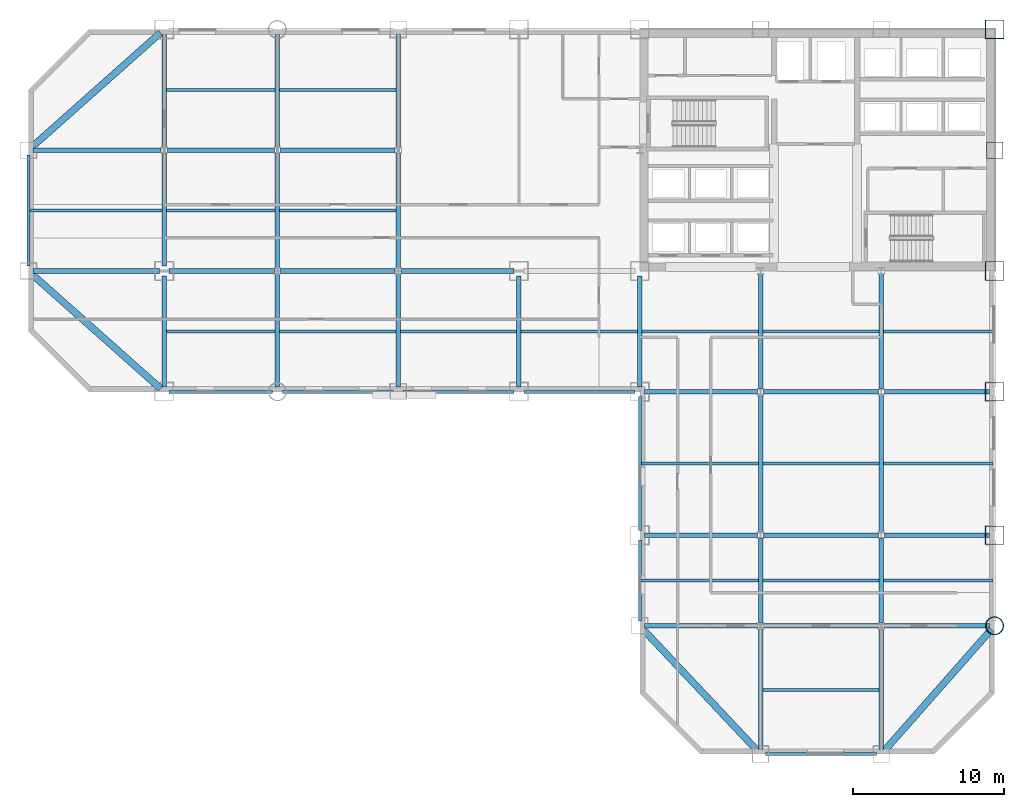
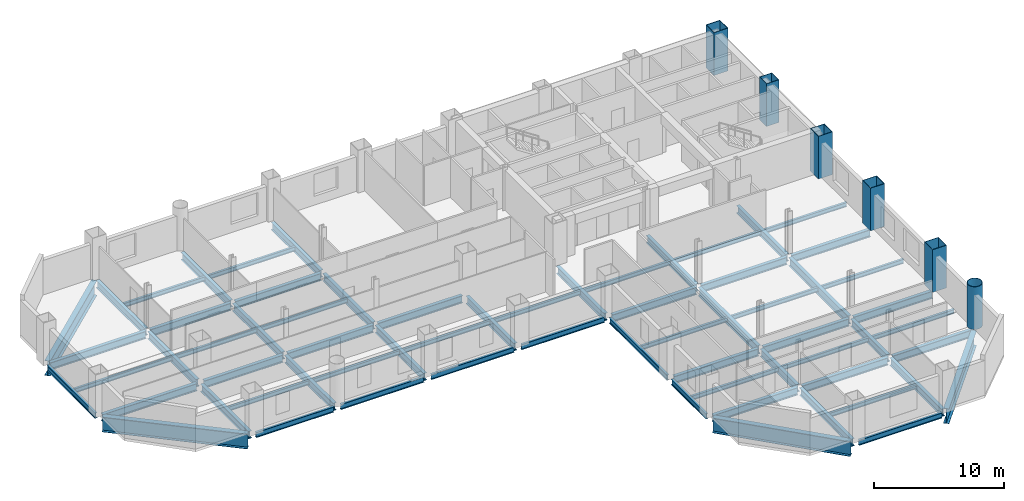
# One storey, part 3 of 9: 66 beams, 6 columns.
"""IFC4 building model written with IfcOpenShell, lengths in metres."""

from ifc_helpers import new_model, si_unit, direction, frame, origin, origin_2d, place, context, subcontext, project, spatial, hollow_rectangle, hollow_circle, i_section, extrude, material, material_profile, profile_set, type_object, element, save


model = new_model("IFC4")

# Units and contexts
model_context = context("Model", 3, precision=1e-05, world=origin(), true_north=direction((0.0, 1.0)))
body_context = subcontext(model_context, "Body", "Model", "MODEL_VIEW")
ifc_project = project(units=[si_unit("LENGTHUNIT", "METRE"), si_unit("AREAUNIT", "SQUARE_METRE"), si_unit("VOLUMEUNIT", "CUBIC_METRE"), si_unit("PLANEANGLEUNIT", "RADIAN"), si_unit("MASSUNIT", "GRAM", prefix="KILO")], contexts=[model_context])

# Site, building, storey
site_placement = place(None, origin())
site = spatial("IfcSite", under=ifc_project, at=site_placement, CompositionType="ELEMENT")
building_placement = place(site_placement, origin())
building = spatial("IfcBuilding", under=site, at=building_placement, Name="Qianrong Seaharbour Tower", CompositionType="ELEMENT")
storey_placement = place(building_placement, frame((0.0, 0.0, 48.199951171875)))
storey = spatial("IfcBuildingStorey", under=building, at=storey_placement, Name="L11", CompositionType="ELEMENT", Elevation=48.199951171875)

# Columns
ifc_material_1 = material(Name="Structural steel SN490B", Category="steel")
ifc_material_profile_1 = material_profile(ifc_material_1, hollow_rectangle(XDim=1.25, YDim=1.25, WallThickness=0.044921875, at=origin_2d()), Name="BOX1250x1250x45")
ifc_profile_set_1 = profile_set([ifc_material_profile_1], Name="Structural steel SN490B")
column_type_1 = type_object("IfcColumnType", Name="COL-CFT-1250", PredefinedType="COLUMN", material=ifc_profile_set_1)
for number, where, z_axis, x_axis, name in (
    (1, (64.0, 18.5, 0.0), (0.0, 0.0, 1.0), (1.0, 0.0, 0.0), "L11 Column MC-2 at G9/GD"),
    (2, (64.0, 28.0, 0.0), (0.0, 0.0, 1.0), (1.0, 0.0, 0.0), "L11 Column MC-2 at G9/GE"),
    (3, (64.0, 36.0, 0.0), (0.0, 0.0, 1.0), (1.0, 0.0, 0.0), "L11 Column MC-2 at G9/GF"),
    (4, (64.0, 52.0, 0.0), (0.0, 0.0, 1.0), (1.0, 0.0, 0.0), "L11 Column MC-2 at G9/GH"),
):
    element("IfcColumn", number, at=place(storey_placement, frame(where, z_axis=z_axis, x_axis=x_axis)), inside=storey, type_object=column_type_1, Name=name, PredefinedType="COLUMN", context=body_context, shape_type="SweptSolid", body=[
        extrude(hollow_rectangle(XDim=1.25, YDim=1.25, WallThickness=0.044921875, at=origin_2d()), origin(), (0.0, 0.0, 1.0), 4.0),
    ])
ifc_material_profile_2 = material_profile(ifc_material_1, hollow_circle(Radius=0.60009765625, WallThickness=0.0400390625, at=origin_2d()), Name="CHS1200x40")
ifc_profile_set_2 = profile_set([ifc_material_profile_2], Name="Structural steel SN490B")
column_type_2 = type_object("IfcColumnType", Name="COL-CHS-1200", PredefinedType="COLUMN", material=ifc_profile_set_2)
column_1_placement = place(storey_placement, frame((64.0, 12.5, 0.0), z_axis=(0.0, 0.0, 1.0), x_axis=(1.0, 0.0, 0.0)))
element("IfcColumn", 5, at=column_1_placement, inside=storey, type_object=column_type_2, Name="L11 Column CC-1 at G9/GC", PredefinedType="COLUMN", context=body_context, shape_type="SweptSolid", body=[
    extrude(hollow_circle(Radius=0.60009765625, WallThickness=0.0400390625, at=origin_2d()), origin(), (0.0, 0.0, 1.0), 4.0),
])
ifc_material_profile_3 = material_profile(ifc_material_1, hollow_rectangle(XDim=1.10009765625, YDim=1.10009765625, WallThickness=0.0400390625, at=origin_2d()), Name="BOX1100x1100x40")
ifc_profile_set_3 = profile_set([ifc_material_profile_3], Name="Structural steel SN490B")
column_type_3 = type_object("IfcColumnType", Name="COL-PER-1100", PredefinedType="COLUMN", material=ifc_profile_set_3)
column_2_placement = place(storey_placement, frame((64.0, 44.0, 0.0), z_axis=(0.0, 0.0, 1.0), x_axis=(1.0, 0.0, 0.0)))
element("IfcColumn", 6, at=column_2_placement, inside=storey, type_object=column_type_3, Name="L11 Column PC-1 at G9/GG", PredefinedType="COLUMN", context=body_context, shape_type="SweptSolid", body=[
    extrude(hollow_rectangle(XDim=1.10009765625, YDim=1.10009765625, WallThickness=0.0400390625, at=origin_2d()), origin(), (0.0, 0.0, 1.0), 4.0),
])

# Beams
ifc_material_profile_4 = material_profile(ifc_material_1, i_section(OverallWidth=0.300048828125, OverallDepth=0.699951171875, WebThickness=0.012939453125, FlangeThickness=0.02392578125, FilletRadius=0.02587890625, at=origin_2d()), Name="H700x300x13x24")
ifc_profile_set_4 = profile_set([ifc_material_profile_4], Name="Structural steel SN490B")
beam_type_1 = type_object("IfcBeamType", Name="BM-G-700", PredefinedType="BEAM", material=ifc_profile_set_4)
beam_1_placement = place(storey_placement, frame((40.820068359375, 12.5, -0.599853515625), z_axis=(1.0, 0.0, 0.0), x_axis=(0.0, 1.0, 0.0)))
element("IfcBeam", 7, at=beam_1_placement, inside=storey, type_object=beam_type_1, Name="L11 Primary Girder GC G6-G7", PredefinedType="BEAM", context=body_context, shape_type="SweptSolid", body=[
    extrude(i_section(OverallWidth=0.300048828125, OverallDepth=0.699951171875, WebThickness=0.012939453125, FlangeThickness=0.02392578125, FilletRadius=0.02587890625, at=origin_2d()), origin(), (0.0, 0.0, 1.0), 7.476318359375),
])
beam_2_placement = place(storey_placement, frame((48.70361328125, 12.5, -0.599853515625), z_axis=(1.0, 0.0, 0.0), x_axis=(0.0, 1.0, 0.0)))
element("IfcBeam", 8, at=beam_2_placement, inside=storey, type_object=beam_type_1, Name="L11 Primary Girder GC G7-G8", PredefinedType="BEAM", context=body_context, shape_type="SweptSolid", body=[
    extrude(i_section(OverallWidth=0.300048828125, OverallDepth=0.699951171875, WebThickness=0.012939453125, FlangeThickness=0.02392578125, FilletRadius=0.02587890625, at=origin_2d()), origin(), (0.0, 0.0, 1.0), 7.5927734375),
])
beam_3_placement = place(storey_placement, frame((56.70361328125, 12.5, -0.599853515625), z_axis=(1.0, 0.0, 0.0), x_axis=(0.0, 1.0, 0.0)))
element("IfcBeam", 9, at=beam_3_placement, inside=storey, type_object=beam_type_1, Name="L11 Primary Girder GC G8-G9", PredefinedType="BEAM", context=body_context, shape_type="SweptSolid", body=[
    extrude(i_section(OverallWidth=0.300048828125, OverallDepth=0.699951171875, WebThickness=0.012939453125, FlangeThickness=0.02392578125, FilletRadius=0.02587890625, at=origin_2d()), origin(), (0.0, 0.0, 1.0), 6.976318359375),
])
beam_4_placement = place(storey_placement, frame((40.820068359375, 18.5, -0.599853515625), z_axis=(1.0, 0.0, 0.0), x_axis=(0.0, 1.0, 0.0)))
element("IfcBeam", 10, at=beam_4_placement, inside=storey, type_object=beam_type_1, Name="L11 Primary Girder GD G6-G7", PredefinedType="BEAM", context=body_context, shape_type="SweptSolid", body=[
    extrude(i_section(OverallWidth=0.300048828125, OverallDepth=0.699951171875, WebThickness=0.012939453125, FlangeThickness=0.02392578125, FilletRadius=0.02587890625, at=origin_2d()), origin(), (0.0, 0.0, 1.0), 7.476318359375),
])
beam_5_placement = place(storey_placement, frame((48.70361328125, 18.5, -0.599853515625), z_axis=(1.0, 0.0, 0.0), x_axis=(0.0, 1.0, 0.0)))
element("IfcBeam", 11, at=beam_5_placement, inside=storey, type_object=beam_type_1, Name="L11 Primary Girder GD G7-G8", PredefinedType="BEAM", context=body_context, shape_type="SweptSolid", body=[
    extrude(i_section(OverallWidth=0.300048828125, OverallDepth=0.699951171875, WebThickness=0.012939453125, FlangeThickness=0.02392578125, FilletRadius=0.02587890625, at=origin_2d()), origin(), (0.0, 0.0, 1.0), 7.5927734375),
])
beam_6_placement = place(storey_placement, frame((56.70361328125, 18.5, -0.599853515625), z_axis=(1.0, 0.0, 0.0), x_axis=(0.0, 1.0, 0.0)))
element("IfcBeam", 12, at=beam_6_placement, inside=storey, type_object=beam_type_1, Name="L11 Primary Girder GD G8-G9", PredefinedType="BEAM", context=body_context, shape_type="SweptSolid", body=[
    extrude(i_section(OverallWidth=0.300048828125, OverallDepth=0.699951171875, WebThickness=0.012939453125, FlangeThickness=0.02392578125, FilletRadius=0.02587890625, at=origin_2d()), origin(), (0.0, 0.0, 1.0), 6.976318359375),
])
beam_7_placement = place(storey_placement, frame((40.820068359375, 28.0, -0.599853515625), z_axis=(1.0, 0.0, 0.0), x_axis=(0.0, 1.0, 0.0)))
element("IfcBeam", 13, at=beam_7_placement, inside=storey, type_object=beam_type_1, Name="L11 Primary Girder GE G6-G7", PredefinedType="BEAM", context=body_context, shape_type="SweptSolid", body=[
    extrude(i_section(OverallWidth=0.300048828125, OverallDepth=0.699951171875, WebThickness=0.012939453125, FlangeThickness=0.02392578125, FilletRadius=0.02587890625, at=origin_2d()), origin(), (0.0, 0.0, 1.0), 7.476318359375),
])
beam_8_placement = place(storey_placement, frame((48.70361328125, 28.0, -0.599853515625), z_axis=(1.0, 0.0, 0.0), x_axis=(0.0, 1.0, 0.0)))
element("IfcBeam", 14, at=beam_8_placement, inside=storey, type_object=beam_type_1, Name="L11 Primary Girder GE G7-G8", PredefinedType="BEAM", context=body_context, shape_type="SweptSolid", body=[
    extrude(i_section(OverallWidth=0.300048828125, OverallDepth=0.699951171875, WebThickness=0.012939453125, FlangeThickness=0.02392578125, FilletRadius=0.02587890625, at=origin_2d()), origin(), (0.0, 0.0, 1.0), 7.5927734375),
])
beam_9_placement = place(storey_placement, frame((56.70361328125, 28.0, -0.599853515625), z_axis=(1.0, 0.0, 0.0), x_axis=(0.0, 1.0, 0.0)))
element("IfcBeam", 15, at=beam_9_placement, inside=storey, type_object=beam_type_1, Name="L11 Primary Girder GE G8-G9", PredefinedType="BEAM", context=body_context, shape_type="SweptSolid", body=[
    extrude(i_section(OverallWidth=0.300048828125, OverallDepth=0.699951171875, WebThickness=0.012939453125, FlangeThickness=0.02392578125, FilletRadius=0.02587890625, at=origin_2d()), origin(), (0.0, 0.0, 1.0), 6.976318359375),
])
beam_10_placement = place(storey_placement, frame((0.320068359375, 36.0, -0.599853515625), z_axis=(1.0, 0.0, 0.0), x_axis=(0.0, 1.0, 0.0)))
element("IfcBeam", 16, at=beam_10_placement, inside=storey, type_object=beam_type_1, Name="L11 Primary Girder GF G1-G2", PredefinedType="BEAM", context=body_context, shape_type="SweptSolid", body=[
    extrude(i_section(OverallWidth=0.300048828125, OverallDepth=0.699951171875, WebThickness=0.012939453125, FlangeThickness=0.02392578125, FilletRadius=0.02587890625, at=origin_2d()), origin(), (0.0, 0.0, 1.0), 8.35986328125),
])
beam_11_placement = place(storey_placement, frame((9.320068359375, 36.0, -0.599853515625), z_axis=(1.0, 0.0, 0.0), x_axis=(0.0, 1.0, 0.0)))
element("IfcBeam", 17, at=beam_11_placement, inside=storey, type_object=beam_type_1, Name="L11 Primary Girder GF G2-G3", PredefinedType="BEAM", context=body_context, shape_type="SweptSolid", body=[
    extrude(i_section(OverallWidth=0.300048828125, OverallDepth=0.699951171875, WebThickness=0.012939453125, FlangeThickness=0.02392578125, FilletRadius=0.02587890625, at=origin_2d()), origin(), (0.0, 0.0, 1.0), 6.976318359375),
])
beam_12_placement = place(storey_placement, frame((16.70361328125, 36.0, -0.599853515625), z_axis=(1.0, 0.0, 0.0), x_axis=(0.0, 1.0, 0.0)))
element("IfcBeam", 18, at=beam_12_placement, inside=storey, type_object=beam_type_1, Name="L11 Primary Girder GF G3-G4", PredefinedType="BEAM", context=body_context, shape_type="SweptSolid", body=[
    extrude(i_section(OverallWidth=0.300048828125, OverallDepth=0.699951171875, WebThickness=0.012939453125, FlangeThickness=0.02392578125, FilletRadius=0.02587890625, at=origin_2d()), origin(), (0.0, 0.0, 1.0), 7.5927734375),
])
beam_13_placement = place(storey_placement, frame((24.70361328125, 36.0, -0.599853515625), z_axis=(1.0, 0.0, 0.0), x_axis=(0.0, 1.0, 0.0)))
element("IfcBeam", 19, at=beam_13_placement, inside=storey, type_object=beam_type_1, Name="L11 Primary Girder GF G4-G5", PredefinedType="BEAM", context=body_context, shape_type="SweptSolid", body=[
    extrude(i_section(OverallWidth=0.300048828125, OverallDepth=0.699951171875, WebThickness=0.012939453125, FlangeThickness=0.02392578125, FilletRadius=0.02587890625, at=origin_2d()), origin(), (0.0, 0.0, 1.0), 7.476318359375),
])
beam_14_placement = place(storey_placement, frame((0.320068359375, 44.0, -0.599853515625), z_axis=(1.0, 0.0, 0.0), x_axis=(0.0, 1.0, 0.0)))
element("IfcBeam", 20, at=beam_14_placement, inside=storey, type_object=beam_type_1, Name="L11 Primary Girder GG G1-G2", PredefinedType="BEAM", context=body_context, shape_type="SweptSolid", body=[
    extrude(i_section(OverallWidth=0.300048828125, OverallDepth=0.699951171875, WebThickness=0.012939453125, FlangeThickness=0.02392578125, FilletRadius=0.02587890625, at=origin_2d()), origin(), (0.0, 0.0, 1.0), 8.476318359375),
])
beam_15_placement = place(storey_placement, frame((9.20361328125, 44.0, -0.599853515625), z_axis=(1.0, 0.0, 0.0), x_axis=(0.0, 1.0, 0.0)))
element("IfcBeam", 21, at=beam_15_placement, inside=storey, type_object=beam_type_1, Name="L11 Primary Girder GG G2-G3", PredefinedType="BEAM", context=body_context, shape_type="SweptSolid", body=[
    extrude(i_section(OverallWidth=0.300048828125, OverallDepth=0.699951171875, WebThickness=0.012939453125, FlangeThickness=0.02392578125, FilletRadius=0.02587890625, at=origin_2d()), origin(), (0.0, 0.0, 1.0), 7.0927734375),
])
beam_16_placement = place(storey_placement, frame((16.70361328125, 44.0, -0.599853515625), z_axis=(1.0, 0.0, 0.0), x_axis=(0.0, 1.0, 0.0)))
element("IfcBeam", 22, at=beam_16_placement, inside=storey, type_object=beam_type_1, Name="L11 Primary Girder GG G3-G4", PredefinedType="BEAM", context=body_context, shape_type="SweptSolid", body=[
    extrude(i_section(OverallWidth=0.300048828125, OverallDepth=0.699951171875, WebThickness=0.012939453125, FlangeThickness=0.02392578125, FilletRadius=0.02587890625, at=origin_2d()), origin(), (0.0, 0.0, 1.0), 7.5927734375),
])
beam_17_placement = place(storey_placement, frame((9.0, 28.320068359375, -0.599853515625), z_axis=(0.0, 1.0, 0.0), x_axis=(-1.0, 0.0, 0.0)))
element("IfcBeam", 23, at=beam_17_placement, inside=storey, type_object=beam_type_1, Name="L11 Primary Girder G2 GE-GF", PredefinedType="BEAM", context=body_context, shape_type="SweptSolid", body=[
    extrude(i_section(OverallWidth=0.300048828125, OverallDepth=0.699951171875, WebThickness=0.012939453125, FlangeThickness=0.02392578125, FilletRadius=0.02587890625, at=origin_2d()), origin(), (0.0, 0.0, 1.0), 7.35986328125),
])
for number, where, z_axis, x_axis, name in (
    (24, (9.0, 36.320068359375, -0.599853515625), (0.0, 1.0, 0.0), (-1.0, 0.0, 0.0), "L11 Primary Girder G2 GF-GG"),
    (25, (9.0, 44.214111328125, -0.599853515625), (0.0, 1.0, 0.0), (-1.0, 0.0, 0.0), "L11 Primary Girder G2 GG-GH"),
    (26, (16.5, 28.320068359375, -0.599853515625), (0.0, 1.0, 0.0), (-1.0, 0.0, 0.0), "L11 Primary Girder G3 GE-GF"),
):
    element("IfcBeam", number, at=place(storey_placement, frame(where, z_axis=z_axis, x_axis=x_axis)), inside=storey, type_object=beam_type_1, Name=name, PredefinedType="BEAM", context=body_context, shape_type="SweptSolid", body=[
        extrude(i_section(OverallWidth=0.300048828125, OverallDepth=0.699951171875, WebThickness=0.012939453125, FlangeThickness=0.02392578125, FilletRadius=0.02587890625, at=origin_2d()), origin(), (0.0, 0.0, 1.0), 7.4658203125),
    ])
beam_18_placement = place(storey_placement, frame((16.5, 36.214111328125, -0.599853515625), z_axis=(0.0, 1.0, 0.0), x_axis=(-1.0, 0.0, 0.0)))
element("IfcBeam", 27, at=beam_18_placement, inside=storey, type_object=beam_type_1, Name="L11 Primary Girder G3 GF-GG", PredefinedType="BEAM", context=body_context, shape_type="SweptSolid", body=[
    extrude(i_section(OverallWidth=0.300048828125, OverallDepth=0.699951171875, WebThickness=0.012939453125, FlangeThickness=0.02392578125, FilletRadius=0.02587890625, at=origin_2d()), origin(), (0.0, 0.0, 1.0), 7.57177734375),
])
for number, where, z_axis, x_axis, name in (
    (28, (16.5, 44.214111328125, -0.599853515625), (0.0, 1.0, 0.0), (-1.0, 0.0, 0.0), "L11 Primary Girder G3 GG-GH"),
    (29, (24.5, 28.320068359375, -0.599853515625), (0.0, 1.0, 0.0), (-1.0, 0.0, 0.0), "L11 Primary Girder G4 GE-GF"),
):
    element("IfcBeam", number, at=place(storey_placement, frame(where, z_axis=z_axis, x_axis=x_axis)), inside=storey, type_object=beam_type_1, Name=name, PredefinedType="BEAM", context=body_context, shape_type="SweptSolid", body=[
        extrude(i_section(OverallWidth=0.300048828125, OverallDepth=0.699951171875, WebThickness=0.012939453125, FlangeThickness=0.02392578125, FilletRadius=0.02587890625, at=origin_2d()), origin(), (0.0, 0.0, 1.0), 7.4658203125),
    ])
beam_19_placement = place(storey_placement, frame((24.5, 36.214111328125, -0.599853515625), z_axis=(0.0, 1.0, 0.0), x_axis=(-1.0, 0.0, 0.0)))
element("IfcBeam", 30, at=beam_19_placement, inside=storey, type_object=beam_type_1, Name="L11 Primary Girder G4 GF-GG", PredefinedType="BEAM", context=body_context, shape_type="SweptSolid", body=[
    extrude(i_section(OverallWidth=0.300048828125, OverallDepth=0.699951171875, WebThickness=0.012939453125, FlangeThickness=0.02392578125, FilletRadius=0.02587890625, at=origin_2d()), origin(), (0.0, 0.0, 1.0), 7.57177734375),
])
beam_20_placement = place(storey_placement, frame((24.5, 44.214111328125, -0.599853515625), z_axis=(0.0, 1.0, 0.0), x_axis=(-1.0, 0.0, 0.0)))
element("IfcBeam", 31, at=beam_20_placement, inside=storey, type_object=beam_type_1, Name="L11 Primary Girder G4 GG-GH", PredefinedType="BEAM", context=body_context, shape_type="SweptSolid", body=[
    extrude(i_section(OverallWidth=0.300048828125, OverallDepth=0.699951171875, WebThickness=0.012939453125, FlangeThickness=0.02392578125, FilletRadius=0.02587890625, at=origin_2d()), origin(), (0.0, 0.0, 1.0), 7.4658203125),
])
for number, where, z_axis, x_axis, name in (
    (32, (32.5, 28.320068359375, -0.599853515625), (0.0, 1.0, 0.0), (-1.0, 0.0, 0.0), "L11 Primary Girder G5 GE-GF"),
    (33, (40.5, 28.320068359375, -0.599853515625), (0.0, 1.0, 0.0), (-1.0, 0.0, 0.0), "L11 Primary Girder G6 GE-GF"),
):
    element("IfcBeam", number, at=place(storey_placement, frame(where, z_axis=z_axis, x_axis=x_axis)), inside=storey, type_object=beam_type_1, Name=name, PredefinedType="BEAM", context=body_context, shape_type="SweptSolid", body=[
        extrude(i_section(OverallWidth=0.300048828125, OverallDepth=0.699951171875, WebThickness=0.012939453125, FlangeThickness=0.02392578125, FilletRadius=0.02587890625, at=origin_2d()), origin(), (0.0, 0.0, 1.0), 7.35986328125),
    ])
beam_21_placement = place(storey_placement, frame((48.5, 4.320068359375, -0.599853515625), z_axis=(0.0, 1.0, 0.0), x_axis=(-1.0, 0.0, 0.0)))
element("IfcBeam", 34, at=beam_21_placement, inside=storey, type_object=beam_type_1, Name="L11 Primary Girder G7 GB-GC", PredefinedType="BEAM", context=body_context, shape_type="SweptSolid", body=[
    extrude(i_section(OverallWidth=0.300048828125, OverallDepth=0.699951171875, WebThickness=0.012939453125, FlangeThickness=0.02392578125, FilletRadius=0.02587890625, at=origin_2d()), origin(), (0.0, 0.0, 1.0), 7.9658203125),
])
beam_22_placement = place(storey_placement, frame((48.5, 12.714111328125, -0.599853515625), z_axis=(0.0, 1.0, 0.0), x_axis=(-1.0, 0.0, 0.0)))
element("IfcBeam", 35, at=beam_22_placement, inside=storey, type_object=beam_type_1, Name="L11 Primary Girder G7 GC-GD", PredefinedType="BEAM", context=body_context, shape_type="SweptSolid", body=[
    extrude(i_section(OverallWidth=0.300048828125, OverallDepth=0.699951171875, WebThickness=0.012939453125, FlangeThickness=0.02392578125, FilletRadius=0.02587890625, at=origin_2d()), origin(), (0.0, 0.0, 1.0), 5.57177734375),
])
beam_23_placement = place(storey_placement, frame((48.5, 28.214111328125, -0.599853515625), z_axis=(0.0, 1.0, 0.0), x_axis=(-1.0, 0.0, 0.0)))
element("IfcBeam", 36, at=beam_23_placement, inside=storey, type_object=beam_type_1, Name="L11 Primary Girder G7 GE-GF", PredefinedType="BEAM", context=body_context, shape_type="SweptSolid", body=[
    extrude(i_section(OverallWidth=0.300048828125, OverallDepth=0.699951171875, WebThickness=0.012939453125, FlangeThickness=0.02392578125, FilletRadius=0.02587890625, at=origin_2d()), origin(), (0.0, 0.0, 1.0), 7.57177734375),
])
beam_24_placement = place(storey_placement, frame((56.5, 4.320068359375, -0.599853515625), z_axis=(0.0, 1.0, 0.0), x_axis=(-1.0, 0.0, 0.0)))
element("IfcBeam", 37, at=beam_24_placement, inside=storey, type_object=beam_type_1, Name="L11 Primary Girder G8 GB-GC", PredefinedType="BEAM", context=body_context, shape_type="SweptSolid", body=[
    extrude(i_section(OverallWidth=0.300048828125, OverallDepth=0.699951171875, WebThickness=0.012939453125, FlangeThickness=0.02392578125, FilletRadius=0.02587890625, at=origin_2d()), origin(), (0.0, 0.0, 1.0), 7.9658203125),
])
beam_25_placement = place(storey_placement, frame((56.5, 12.714111328125, -0.599853515625), z_axis=(0.0, 1.0, 0.0), x_axis=(-1.0, 0.0, 0.0)))
element("IfcBeam", 38, at=beam_25_placement, inside=storey, type_object=beam_type_1, Name="L11 Primary Girder G8 GC-GD", PredefinedType="BEAM", context=body_context, shape_type="SweptSolid", body=[
    extrude(i_section(OverallWidth=0.300048828125, OverallDepth=0.699951171875, WebThickness=0.012939453125, FlangeThickness=0.02392578125, FilletRadius=0.02587890625, at=origin_2d()), origin(), (0.0, 0.0, 1.0), 5.57177734375),
])
beam_26_placement = place(storey_placement, frame((56.5, 28.214111328125, -0.599853515625), z_axis=(0.0, 1.0, 0.0), x_axis=(-1.0, 0.0, 0.0)))
element("IfcBeam", 39, at=beam_26_placement, inside=storey, type_object=beam_type_1, Name="L11 Primary Girder G8 GE-GF", PredefinedType="BEAM", context=body_context, shape_type="SweptSolid", body=[
    extrude(i_section(OverallWidth=0.300048828125, OverallDepth=0.699951171875, WebThickness=0.012939453125, FlangeThickness=0.02392578125, FilletRadius=0.02587890625, at=origin_2d()), origin(), (0.0, 0.0, 1.0), 7.57177734375),
])
ifc_material_profile_5 = material_profile(ifc_material_1, i_section(OverallWidth=0.300048828125, OverallDepth=0.800048828125, WebThickness=0.013916015625, FlangeThickness=0.02587890625, FilletRadius=0.028076171875, at=origin_2d()), Name="H800x300x14x26")
ifc_profile_set_5 = profile_set([ifc_material_profile_5], Name="Structural steel SN490B")
beam_type_2 = type_object("IfcBeamType", Name="BM-G-800", PredefinedType="BEAM", material=ifc_profile_set_5)
for number, where, z_axis, x_axis, name in (
    (40, (48.5, 18.714111328125, -0.64990234375), (0.0, 1.0, 0.0), (-1.0, 0.0, 0.0), "L11 Primary Girder G7 GD-GE"),
    (41, (56.5, 18.714111328125, -0.64990234375), (0.0, 1.0, 0.0), (-1.0, 0.0, 0.0), "L11 Primary Girder G8 GD-GE"),
):
    element("IfcBeam", number, at=place(storey_placement, frame(where, z_axis=z_axis, x_axis=x_axis)), inside=storey, type_object=beam_type_2, Name=name, PredefinedType="BEAM", context=body_context, shape_type="SweptSolid", body=[
        extrude(i_section(OverallWidth=0.300048828125, OverallDepth=0.800048828125, WebThickness=0.013916015625, FlangeThickness=0.02587890625, FilletRadius=0.028076171875, at=origin_2d()), origin(), (0.0, 0.0, 1.0), 9.07177734375),
    ])
ifc_material_2 = material(Name="Structural steel SN400B", Category="steel")
ifc_material_profile_6 = material_profile(ifc_material_2, i_section(OverallWidth=0.199951171875, OverallDepth=0.39990234375, WebThickness=0.008056640625, FlangeThickness=0.012939453125, FilletRadius=0.01611328125, at=origin_2d()), Name="H400x200x8x13")
ifc_profile_set_6 = profile_set([ifc_material_profile_6], Name="Structural steel SN400B")
beam_type_3 = type_object("IfcBeamType", Name="BM-J-400", PredefinedType="JOIST", material=ifc_profile_set_6)
beam_27_placement = place(storey_placement, frame((0.10009765625, 40.0, -0.449951171875), z_axis=(1.0, 0.0, 0.0), x_axis=(0.0, 1.0, 0.0)))
element("IfcBeam", 42, at=beam_27_placement, inside=storey, type_object=beam_type_3, Name="L11 Composite Floor Joist G1-G2/GF-GG", PredefinedType="JOIST", context=body_context, shape_type="SweptSolid", body=[
    extrude(i_section(OverallWidth=0.199951171875, OverallDepth=0.39990234375, WebThickness=0.008056640625, FlangeThickness=0.012939453125, FilletRadius=0.01611328125, at=origin_2d()), origin(), (0.0, 0.0, 1.0), 8.75),
])
for number, where, z_axis, x_axis, name in (
    (43, (9.14990234375, 32.0, -0.449951171875), (1.0, 0.0, 0.0), (0.0, 1.0, 0.0), "L11 Composite Floor Joist G2-G3/GE-GF"),
    (44, (9.14990234375, 40.0, -0.449951171875), (1.0, 0.0, 0.0), (0.0, 1.0, 0.0), "L11 Composite Floor Joist G2-G3/GF-GG"),
    (45, (9.14990234375, 48.0, -0.449951171875), (1.0, 0.0, 0.0), (0.0, 1.0, 0.0), "L11 Composite Floor Joist G2-G3/GG-GH"),
):
    element("IfcBeam", number, at=place(storey_placement, frame(where, z_axis=z_axis, x_axis=x_axis)), inside=storey, type_object=beam_type_3, Name=name, PredefinedType="JOIST", context=body_context, shape_type="SweptSolid", body=[
        extrude(i_section(OverallWidth=0.199951171875, OverallDepth=0.39990234375, WebThickness=0.008056640625, FlangeThickness=0.012939453125, FilletRadius=0.01611328125, at=origin_2d()), origin(), (0.0, 0.0, 1.0), 7.2001953125),
    ])
for number, where, z_axis, x_axis, name in (
    (46, (16.64990234375, 32.0, -0.449951171875), (1.0, 0.0, 0.0), (0.0, 1.0, 0.0), "L11 Composite Floor Joist G3-G4/GE-GF"),
    (47, (16.64990234375, 40.0, -0.449951171875), (1.0, 0.0, 0.0), (0.0, 1.0, 0.0), "L11 Composite Floor Joist G3-G4/GF-GG"),
    (48, (16.64990234375, 48.0, -0.449951171875), (1.0, 0.0, 0.0), (0.0, 1.0, 0.0), "L11 Composite Floor Joist G3-G4/GG-GH"),
    (49, (24.64990234375, 32.0, -0.449951171875), (1.0, 0.0, 0.0), (0.0, 1.0, 0.0), "L11 Composite Floor Joist G4-G5/GE-GF"),
    (50, (32.64990234375, 32.0, -0.449951171875), (1.0, 0.0, 0.0), (0.0, 1.0, 0.0), "L11 Composite Floor Joist G5-G6/GE-GF"),
):
    element("IfcBeam", number, at=place(storey_placement, frame(where, z_axis=z_axis, x_axis=x_axis)), inside=storey, type_object=beam_type_3, Name=name, PredefinedType="JOIST", context=body_context, shape_type="SweptSolid", body=[
        extrude(i_section(OverallWidth=0.199951171875, OverallDepth=0.39990234375, WebThickness=0.008056640625, FlangeThickness=0.012939453125, FilletRadius=0.01611328125, at=origin_2d()), origin(), (0.0, 0.0, 1.0), 7.7001953125),
    ])
for number, where, z_axis, x_axis, name in (
    (51, (40.60009765625, 15.5, -0.449951171875), (1.0, 0.0, 0.0), (0.0, 1.0, 0.0), "L11 Composite Floor Joist G6-G7/GC-GD"),
    (52, (40.60009765625, 23.25, -0.449951171875), (1.0, 0.0, 0.0), (0.0, 1.0, 0.0), "L11 Composite Floor Joist G6-G7/GD-GE"),
):
    element("IfcBeam", number, at=place(storey_placement, frame(where, z_axis=z_axis, x_axis=x_axis)), inside=storey, type_object=beam_type_3, Name=name, PredefinedType="JOIST", context=body_context, shape_type="SweptSolid", body=[
        extrude(i_section(OverallWidth=0.199951171875, OverallDepth=0.39990234375, WebThickness=0.008056640625, FlangeThickness=0.012939453125, FilletRadius=0.01611328125, at=origin_2d()), origin(), (0.0, 0.0, 1.0), 7.75),
    ])
for number, where, z_axis, x_axis, name in (
    (53, (40.64990234375, 32.0, -0.449951171875), (1.0, 0.0, 0.0), (0.0, 1.0, 0.0), "L11 Composite Floor Joist G6-G7/GE-GF"),
    (54, (48.64990234375, 8.25, -0.449951171875), (1.0, 0.0, 0.0), (0.0, 1.0, 0.0), "L11 Composite Floor Joist G7-G8/GB-GC"),
    (55, (48.64990234375, 15.5, -0.449951171875), (1.0, 0.0, 0.0), (0.0, 1.0, 0.0), "L11 Composite Floor Joist G7-G8/GC-GD"),
    (56, (48.64990234375, 23.25, -0.449951171875), (1.0, 0.0, 0.0), (0.0, 1.0, 0.0), "L11 Composite Floor Joist G7-G8/GD-GE"),
    (57, (48.64990234375, 32.0, -0.449951171875), (1.0, 0.0, 0.0), (0.0, 1.0, 0.0), "L11 Composite Floor Joist G7-G8/GE-GF"),
):
    element("IfcBeam", number, at=place(storey_placement, frame(where, z_axis=z_axis, x_axis=x_axis)), inside=storey, type_object=beam_type_3, Name=name, PredefinedType="JOIST", context=body_context, shape_type="SweptSolid", body=[
        extrude(i_section(OverallWidth=0.199951171875, OverallDepth=0.39990234375, WebThickness=0.008056640625, FlangeThickness=0.012939453125, FilletRadius=0.01611328125, at=origin_2d()), origin(), (0.0, 0.0, 1.0), 7.7001953125),
    ])
for number, where, z_axis, x_axis, name in (
    (58, (56.64990234375, 15.5, -0.449951171875), (1.0, 0.0, 0.0), (0.0, 1.0, 0.0), "L11 Composite Floor Joist G8-G9/GC-GD"),
    (59, (56.64990234375, 23.25, -0.449951171875), (1.0, 0.0, 0.0), (0.0, 1.0, 0.0), "L11 Composite Floor Joist G8-G9/GD-GE"),
    (60, (56.64990234375, 32.0, -0.449951171875), (1.0, 0.0, 0.0), (0.0, 1.0, 0.0), "L11 Composite Floor Joist G8-G9/GE-GF"),
):
    element("IfcBeam", number, at=place(storey_placement, frame(where, z_axis=z_axis, x_axis=x_axis)), inside=storey, type_object=beam_type_3, Name=name, PredefinedType="JOIST", context=body_context, shape_type="SweptSolid", body=[
        extrude(i_section(OverallWidth=0.199951171875, OverallDepth=0.39990234375, WebThickness=0.008056640625, FlangeThickness=0.012939453125, FilletRadius=0.01611328125, at=origin_2d()), origin(), (0.0, 0.0, 1.0), 7.25),
    ])
ifc_material_profile_7 = material_profile(ifc_material_1, i_section(OverallWidth=0.199951171875, OverallDepth=0.5, WebThickness=0.010009765625, FlangeThickness=0.01611328125, FilletRadius=0.02001953125, at=origin_2d()), Name="H500x200x10x16")
ifc_profile_set_7 = profile_set([ifc_material_profile_7], Name="Structural steel SN490B")
beam_type_4 = type_object("IfcBeamType", Name="BM-SP-500", PredefinedType="SPANDREL", material=ifc_profile_set_7)
beam_28_placement = place(storey_placement, frame((48.820068359375, 4.0, -0.5), z_axis=(1.0, 0.0, 0.0), x_axis=(0.0, 1.0, 0.0)))
element("IfcBeam", 61, at=beam_28_placement, inside=storey, type_object=beam_type_4, Name="L11 Spandrel Girder GB G7-G8", PredefinedType="SPANDREL", context=body_context, shape_type="SweptSolid", body=[
    extrude(i_section(OverallWidth=0.199951171875, OverallDepth=0.5, WebThickness=0.010009765625, FlangeThickness=0.01611328125, FilletRadius=0.02001953125, at=origin_2d()), origin(), (0.0, 0.0, 1.0), 7.35986328125),
])
beam_29_placement = place(storey_placement, frame((9.320068359375, 28.0, -0.5), z_axis=(1.0, 0.0, 0.0), x_axis=(0.0, 1.0, 0.0)))
element("IfcBeam", 62, at=beam_29_placement, inside=storey, type_object=beam_type_4, Name="L11 Spandrel Girder GE G2-G3", PredefinedType="SPANDREL", context=body_context, shape_type="SweptSolid", body=[
    extrude(i_section(OverallWidth=0.199951171875, OverallDepth=0.5, WebThickness=0.010009765625, FlangeThickness=0.01611328125, FilletRadius=0.02001953125, at=origin_2d()), origin(), (0.0, 0.0, 1.0), 6.85986328125),
])
for number, where, z_axis, x_axis, name in (
    (63, (16.820068359375, 28.0, -0.5), (1.0, 0.0, 0.0), (0.0, 1.0, 0.0), "L11 Spandrel Girder GE G3-G4"),
    (64, (24.820068359375, 28.0, -0.5), (1.0, 0.0, 0.0), (0.0, 1.0, 0.0), "L11 Spandrel Girder GE G4-G5"),
    (65, (32.820068359375, 28.0, -0.5), (1.0, 0.0, 0.0), (0.0, 1.0, 0.0), "L11 Spandrel Girder GE G5-G6"),
    (66, (0.0, 36.320068359375, -0.5), (0.0, 1.0, 0.0), (-1.0, 0.0, 0.0), "L11 Spandrel Girder G1 GF-GG"),
):
    element("IfcBeam", number, at=place(storey_placement, frame(where, z_axis=z_axis, x_axis=x_axis)), inside=storey, type_object=beam_type_4, Name=name, PredefinedType="SPANDREL", context=body_context, shape_type="SweptSolid", body=[
        extrude(i_section(OverallWidth=0.199951171875, OverallDepth=0.5, WebThickness=0.010009765625, FlangeThickness=0.01611328125, FilletRadius=0.02001953125, at=origin_2d()), origin(), (0.0, 0.0, 1.0), 7.35986328125),
    ])
beam_30_placement = place(storey_placement, frame((40.5, 12.820068359375, -0.5), z_axis=(0.0, 1.0, 0.0), x_axis=(-1.0, 0.0, 0.0)))
element("IfcBeam", 67, at=beam_30_placement, inside=storey, type_object=beam_type_4, Name="L11 Spandrel Girder G6 GC-GD", PredefinedType="SPANDREL", context=body_context, shape_type="SweptSolid", body=[
    extrude(i_section(OverallWidth=0.199951171875, OverallDepth=0.5, WebThickness=0.010009765625, FlangeThickness=0.01611328125, FilletRadius=0.02001953125, at=origin_2d()), origin(), (0.0, 0.0, 1.0), 5.35986328125),
])
beam_31_placement = place(storey_placement, frame((40.5, 18.820068359375, -0.5), z_axis=(0.0, 1.0, 0.0), x_axis=(-1.0, 0.0, 0.0)))
element("IfcBeam", 68, at=beam_31_placement, inside=storey, type_object=beam_type_4, Name="L11 Spandrel Girder G6 GD-GE", PredefinedType="SPANDREL", context=body_context, shape_type="SweptSolid", body=[
    extrude(i_section(OverallWidth=0.199951171875, OverallDepth=0.5, WebThickness=0.010009765625, FlangeThickness=0.01611328125, FilletRadius=0.02001953125, at=origin_2d()), origin(), (0.0, 0.0, 1.0), 8.85986328125),
])
ifc_material_profile_8 = material_profile(ifc_material_1, i_section(OverallWidth=0.449951171875, OverallDepth=1.39990234375, WebThickness=0.02197265625, FlangeThickness=0.0400390625, at=origin_2d()), Name="BH1400x450x22x40")
ifc_profile_set_8 = profile_set([ifc_material_profile_8], Name="Structural steel SN490B")
beam_type_5 = type_object("IfcBeamType", Name="BM-TG-1400", PredefinedType="BEAM", material=ifc_profile_set_8)
for number, where, z_axis, x_axis, name in (
    (69, (8.7607421875, 28.212646484375, -0.949951171875), (-0.747406955841, 0.664366497018, 0.0), (-0.664366497018, -0.747406955841, 0.0), "L11 Chamfer Corner Spandrel Girder G1/GE"),
    (70, (8.7607421875, 51.787353515625, -0.949951171875), (-0.747406955841, -0.664366497018, 0.0), (0.664366497018, -0.747406955841, 0.0), "L11 Chamfer Corner Spandrel Girder G1/GH"),
):
    element("IfcBeam", number, at=place(storey_placement, frame(where, z_axis=z_axis, x_axis=x_axis)), inside=storey, type_object=beam_type_5, Name=name, PredefinedType="BEAM", context=body_context, shape_type="SweptSolid", body=[
        extrude(i_section(OverallWidth=0.449951171875, OverallDepth=1.39990234375, WebThickness=0.02197265625, FlangeThickness=0.0400390625, at=origin_2d()), origin(), (0.0, 0.0, 1.0), 11.4013671875),
    ])
beam_32_placement = place(storey_placement, frame((48.28076171875, 4.23291015625, -0.949951171875), z_axis=(-0.685361938021, 0.728202591256, 0.0), x_axis=(-0.728202591256, -0.685361938021, 0.0)))
element("IfcBeam", 71, at=beam_32_placement, inside=storey, type_object=beam_type_5, Name="L11 Chamfer Corner Spandrel Girder G6/GB", PredefinedType="BEAM", context=body_context, shape_type="SweptSolid", body=[
    extrude(i_section(OverallWidth=0.449951171875, OverallDepth=1.39990234375, WebThickness=0.02197265625, FlangeThickness=0.0400390625, at=origin_2d()), origin(), (0.0, 0.0, 1.0), 11.032958984375),
])
beam_33_placement = place(storey_placement, frame((56.711669921875, 4.239990234375, -0.949951171875), z_axis=(0.661630696334, 0.749829861815, 0.0), x_axis=(-0.749829861815, 0.661630696334, 0.0)))
element("IfcBeam", 72, at=beam_33_placement, inside=storey, type_object=beam_type_5, Name="L11 Chamfer Corner Spandrel Girder G9/GB", PredefinedType="BEAM", context=body_context, shape_type="SweptSolid", body=[
    extrude(i_section(OverallWidth=0.449951171875, OverallDepth=1.39990234375, WebThickness=0.02197265625, FlangeThickness=0.0400390625, at=origin_2d()), origin(), (0.0, 0.0, 1.0), 10.69580078125),
])

save(model, "model.ifc")
